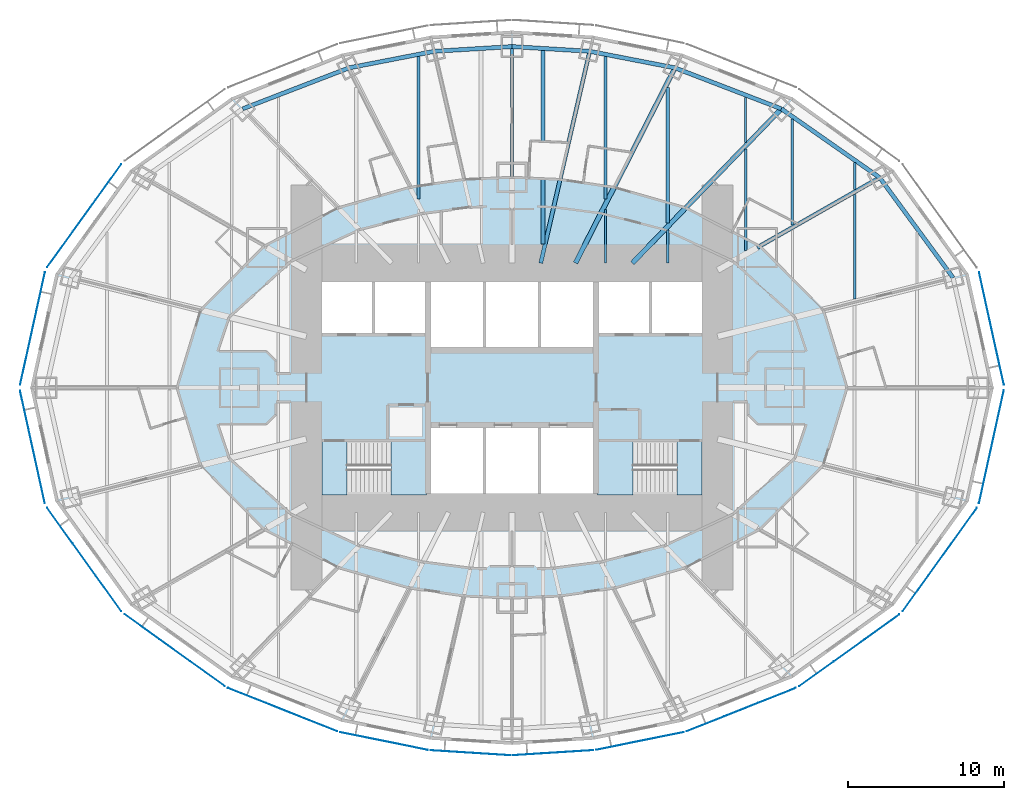
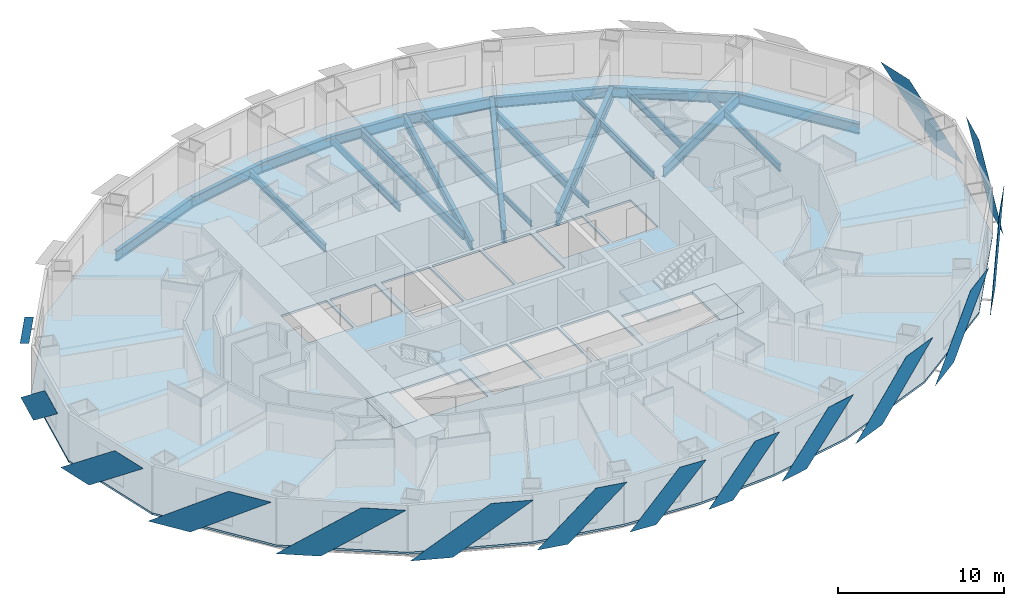
# One storey, part 3 of 15: 24 beams, 15 plates, 5 slabs, 2 elements without a shape of their own.
"""IFC4 building model written with IfcOpenShell, lengths in metres."""

from ifc_helpers import new_model, si_unit, direction, frame, origin, origin_2d, place, context, subcontext, project, spatial, polyline, i_section, outline, extrude, material, layer, layer_set, material_profile, profile_set, type_object, element, aggregate, save


model = new_model("IFC4")

# Units and contexts
model_context = context("Model", 3, precision=1e-05, world=origin(), true_north=direction((0.0, 1.0)))
body_context = subcontext(model_context, "Body", "Model", "MODEL_VIEW")
ifc_project = project(units=[si_unit("LENGTHUNIT", "METRE"), si_unit("AREAUNIT", "SQUARE_METRE"), si_unit("VOLUMEUNIT", "CUBIC_METRE"), si_unit("PLANEANGLEUNIT", "RADIAN"), si_unit("MASSUNIT", "GRAM", prefix="KILO")], contexts=[model_context])

# Site, building, storey
site_placement = place(None, origin())
site = spatial("IfcSite", under=ifc_project, at=site_placement, CompositionType="ELEMENT")
building_placement = place(site_placement, origin())
building = spatial("IfcBuilding", under=site, at=building_placement, Name="Lantaw Convention Tower", CompositionType="ELEMENT")
storey_placement = place(building_placement, frame((0.0, 0.0, 51.39990234375)))
storey = spatial("IfcBuildingStorey", under=building, at=storey_placement, Name="L10", CompositionType="ELEMENT", Elevation=51.39990234375)

# Beams
ifc_material_1 = material(Name="Steel ASTM A992", Category="steel")
ifc_material_profile_1 = material_profile(ifc_material_1, i_section(OverallWidth=0.2666015625, OverallDepth=0.76953125, WebThickness=0.015625, FlangeThickness=0.025390625, FilletRadius=0.0126953125, at=origin_2d()), Name="W30X132")
ifc_profile_set_1 = profile_set([ifc_material_profile_1], Name="Steel ASTM A992")
beam_type_1 = type_object("IfcBeamType", Name="Beam E W30X132", PredefinedType="SPANDREL", material=ifc_profile_set_1)
beam_1_placement = place(storey_placement, frame((28.31787109375, 7.060302734375, -0.53466796875), z_axis=(-0.591270709086, 0.806473154281, 0.0), x_axis=(-0.806473154281, -0.591270709086, 0.0)))
element("IfcBeam", 1, at=beam_1_placement, inside=storey, type_object=beam_type_1, Name="Edge beam 2", PredefinedType="SPANDREL", context=body_context, shape_type="SweptSolid", body=[
    extrude(i_section(OverallWidth=0.2666015625, OverallDepth=0.76953125, WebThickness=0.015625, FlangeThickness=0.025390625, FilletRadius=0.0126953125, at=origin_2d()), origin(), (0.0, 0.0, 1.0), 7.970703125),
])
beam_2_placement = place(storey_placement, frame((23.60498046875, 13.488525390625, -0.53466796875), z_axis=(-0.81942686407, 0.57318375277, 0.0), x_axis=(-0.57318375277, -0.81942686407, 0.0)))
element("IfcBeam", 2, at=beam_2_placement, inside=storey, type_object=beam_type_1, Name="Edge beam 3", PredefinedType="SPANDREL", context=body_context, shape_type="SweptSolid", body=[
    extrude(i_section(OverallWidth=0.2666015625, OverallDepth=0.76953125, WebThickness=0.015625, FlangeThickness=0.025390625, FilletRadius=0.0126953125, at=origin_2d()), origin(), (0.0, 0.0, 1.0), 7.70556640625),
])
beam_3_placement = place(storey_placement, frame((17.290771484375, 17.9052734375, -0.53466796875), z_axis=(-0.933232900641, 0.359271976588, 0.0), x_axis=(-0.359271976588, -0.933232900641, 0.0)))
element("IfcBeam", 3, at=beam_3_placement, inside=storey, type_object=beam_type_1, Name="Edge beam 4", PredefinedType="SPANDREL", context=body_context, shape_type="SweptSolid", body=[
    extrude(i_section(OverallWidth=0.2666015625, OverallDepth=0.76953125, WebThickness=0.015625, FlangeThickness=0.025390625, FilletRadius=0.0126953125, at=origin_2d()), origin(), (0.0, 0.0, 1.0), 7.316650390625),
])
beam_4_placement = place(storey_placement, frame((10.462646484375, 20.533935546875, -0.53466796875), z_axis=(-0.981636565323, 0.190760723474, 0.0), x_axis=(-0.190760723474, -0.981636565323, 0.0)))
element("IfcBeam", 4, at=beam_4_placement, inside=storey, type_object=beam_type_1, Name="Edge beam 5", PredefinedType="SPANDREL", context=body_context, shape_type="SweptSolid", body=[
    extrude(i_section(OverallWidth=0.2666015625, OverallDepth=0.76953125, WebThickness=0.015625, FlangeThickness=0.025390625, FilletRadius=0.0126953125, at=origin_2d()), origin(), (0.0, 0.0, 1.0), 5.578857421875),
])
for number, where, z_axis, x_axis, name in (
    (5, (4.986328125, 21.59814453125, -0.53466796875), (-0.998173858406, 0.060406526096, 0.0), (-0.060406526096, -0.998173858406, 0.0), "Edge beam 6"),
    (6, (0.0, 21.89990234375, -0.53466796875), (-0.998173858406, -0.060406526096, 0.0), (0.060406526096, -0.998173858406, 0.0), "Edge beam 7"),
):
    element("IfcBeam", number, at=place(storey_placement, frame(where, z_axis=z_axis, x_axis=x_axis)), inside=storey, type_object=beam_type_1, Name=name, PredefinedType="SPANDREL", context=body_context, shape_type="SweptSolid", body=[
        extrude(i_section(OverallWidth=0.2666015625, OverallDepth=0.76953125, WebThickness=0.015625, FlangeThickness=0.025390625, FilletRadius=0.0126953125, at=origin_2d()), origin(), (0.0, 0.0, 1.0), 4.995361328125),
    ])
beam_5_placement = place(storey_placement, frame((-4.986328125, 21.59814453125, -0.53466796875), z_axis=(-0.981636565323, -0.190760723474, 0.0), x_axis=(0.190760723474, -0.981636565323, 0.0)))
element("IfcBeam", 7, at=beam_5_placement, inside=storey, type_object=beam_type_1, Name="Edge beam 8", PredefinedType="SPANDREL", context=body_context, shape_type="SweptSolid", body=[
    extrude(i_section(OverallWidth=0.2666015625, OverallDepth=0.76953125, WebThickness=0.015625, FlangeThickness=0.025390625, FilletRadius=0.0126953125, at=origin_2d()), origin(), (0.0, 0.0, 1.0), 5.578857421875),
])
beam_6_placement = place(storey_placement, frame((-10.462646484375, 20.533935546875, -0.53466796875), z_axis=(-0.933232900641, -0.359271976588, 0.0), x_axis=(0.359271976588, -0.933232900641, 0.0)))
element("IfcBeam", 8, at=beam_6_placement, inside=storey, type_object=beam_type_1, Name="Edge beam 9", PredefinedType="SPANDREL", context=body_context, shape_type="SweptSolid", body=[
    extrude(i_section(OverallWidth=0.2666015625, OverallDepth=0.76953125, WebThickness=0.015625, FlangeThickness=0.025390625, FilletRadius=0.0126953125, at=origin_2d()), origin(), (0.0, 0.0, 1.0), 7.316650390625),
])
ifc_material_profile_2 = material_profile(ifc_material_1, i_section(OverallWidth=0.1650390625, OverallDepth=0.52587890625, WebThickness=0.0087890625, FlangeThickness=0.011474609375, FilletRadius=0.0126953125, at=origin_2d()), Name="W21X44")
ifc_profile_set_2 = profile_set([ifc_material_profile_2], Name="Steel ASTM A992")
beam_type_2 = type_object("IfcBeamType", Name="Beam G W21X44", PredefinedType="BEAM", material=ifc_profile_set_2)
beam_7_placement = place(storey_placement, frame((0.0, 13.5, -0.412841796875), z_axis=(0.0, 1.0, 0.0), x_axis=(-1.0, 0.0, 0.0)))
element("IfcBeam", 9, at=beam_7_placement, inside=storey, type_object=beam_type_2, Name="Floor girder on ray 7", PredefinedType="BEAM", context=body_context, shape_type="SweptSolid", body=[
    extrude(i_section(OverallWidth=0.1650390625, OverallDepth=0.52587890625, WebThickness=0.0087890625, FlangeThickness=0.011474609375, FilletRadius=0.0126953125, at=origin_2d()), origin(), (0.0, 0.0, 1.0), 8.39990234375),
])
ifc_material_profile_3 = material_profile(ifc_material_1, i_section(OverallWidth=0.25390625, OverallDepth=0.683349609375, WebThickness=0.012451171875, FlangeThickness=0.01904296875, FilletRadius=0.01513671875, at=origin_2d()), Name="W27X94")
ifc_profile_set_3 = profile_set([ifc_material_profile_3], Name="Steel ASTM A992")
beam_type_3 = type_object("IfcBeamType", Name="Beam G W27X94", PredefinedType="BEAM", material=ifc_profile_set_3)
beam_8_placement = place(storey_placement, frame((1.846923828125, 8.0, -0.491455078125), z_axis=(0.224952773175, 0.97436966796, 0.0), x_axis=(-0.97436966796, 0.224952773175, 0.0)))
element("IfcBeam", 10, at=beam_8_placement, inside=storey, type_object=beam_type_3, Name="Floor girder on ray 6", PredefinedType="BEAM", context=body_context, shape_type="SweptSolid", body=[
    extrude(i_section(OverallWidth=0.25390625, OverallDepth=0.683349609375, WebThickness=0.012451171875, FlangeThickness=0.01904296875, FilletRadius=0.01513671875, at=origin_2d()), origin(), (0.0, 0.0, 1.0), 13.955810546875),
])
ifc_material_profile_4 = material_profile(ifc_material_1, i_section(OverallWidth=0.2666015625, OverallDepth=0.7568359375, WebThickness=0.013916015625, FlangeThickness=0.019287109375, FilletRadius=0.0126953125, at=origin_2d()), Name="W30X108")
ifc_profile_set_4 = profile_set([ifc_material_profile_4], Name="Steel ASTM A992")
beam_type_4 = type_object("IfcBeamType", Name="Beam G W30X108", PredefinedType="BEAM", material=ifc_profile_set_4)
beam_9_placement = place(storey_placement, frame((15.75, 9.0, -0.5283203125), z_axis=(0.868244802791, 0.496136032179, 0.0), x_axis=(-0.496136032179, 0.868244802791, 0.0)))
element("IfcBeam", 11, at=beam_9_placement, inside=storey, type_object=beam_type_4, Name="Floor girder on ray 3", PredefinedType="BEAM", context=body_context, shape_type="SweptSolid", body=[
    extrude(i_section(OverallWidth=0.2666015625, OverallDepth=0.7568359375, WebThickness=0.013916015625, FlangeThickness=0.019287109375, FilletRadius=0.0126953125, at=origin_2d()), origin(), (0.0, 0.0, 1.0), 9.046875),
])
ifc_material_profile_5 = material_profile(ifc_material_1, i_section(OverallWidth=0.307373046875, OverallDepth=0.922119140625, WebThickness=0.018310546875, FlangeThickness=0.030029296875, FilletRadius=0.0126953125, at=origin_2d()), Name="W36X182")
ifc_profile_set_5 = profile_set([ifc_material_profile_5], Name="Steel ASTM A992")
beam_type_5 = type_object("IfcBeamType", Name="Beam G W36X182", PredefinedType="BEAM", material=ifc_profile_set_5)
beam_10_placement = place(storey_placement, frame((7.7255859375, 8.0, -0.61083984375), z_axis=(0.694649884291, 0.719347995239, 0.0), x_axis=(-0.719347995239, 0.694649884291, 0.0)))
element("IfcBeam", 12, at=beam_10_placement, inside=storey, type_object=beam_type_5, Name="Floor girder on ray 4", PredefinedType="BEAM", context=body_context, shape_type="SweptSolid", body=[
    extrude(i_section(OverallWidth=0.307373046875, OverallDepth=0.922119140625, WebThickness=0.018310546875, FlangeThickness=0.030029296875, FilletRadius=0.0126953125, at=origin_2d()), origin(), (0.0, 0.0, 1.0), 13.769775390625),
])
beam_11_placement = place(storey_placement, frame((4.076171875, 8.0, -0.61083984375), z_axis=(0.453997016122, 0.891003203896, 0.0), x_axis=(-0.891003203896, 0.453997016122, 0.0)))
element("IfcBeam", 13, at=beam_11_placement, inside=storey, type_object=beam_type_5, Name="Floor girder on ray 5", PredefinedType="BEAM", context=body_context, shape_type="SweptSolid", body=[
    extrude(i_section(OverallWidth=0.307373046875, OverallDepth=0.922119140625, WebThickness=0.018310546875, FlangeThickness=0.030029296875, FilletRadius=0.0126953125, at=origin_2d()), origin(), (0.0, 0.0, 1.0), 14.067138671875),
])
ifc_material_profile_6 = material_profile(ifc_material_1, i_section(OverallWidth=0.140380859375, OverallDepth=0.40380859375, WebThickness=0.007080078125, FlangeThickness=0.01123046875, FilletRadius=0.01025390625, at=origin_2d()), Name="W16X31")
ifc_profile_set_6 = profile_set([ifc_material_profile_6], Name="Steel ASTM A992")
beam_type_6 = type_object("IfcBeamType", Name="Beam J W16X31", PredefinedType="JOIST", material=ifc_profile_set_6)
beam_12_placement = place(storey_placement, frame((6.0, 8.0, -0.351806640625), z_axis=(0.0, 1.0, 0.0), x_axis=(-1.0, 0.0, 0.0)))
element("IfcBeam", 14, at=beam_12_placement, inside=storey, type_object=beam_type_6, Name="Floor joist", PredefinedType="JOIST", context=body_context, shape_type="SweptSolid", body=[
    extrude(i_section(OverallWidth=0.140380859375, OverallDepth=0.40380859375, WebThickness=0.007080078125, FlangeThickness=0.01123046875, FilletRadius=0.01025390625, at=origin_2d()), origin(), (0.0, 0.0, 1.0), 3.437255859375),
])
beam_13_placement = place(storey_placement, frame((10.0, 8.0, -0.351806640625), z_axis=(0.0, 1.0, 0.0), x_axis=(-1.0, 0.0, 0.0)))
element("IfcBeam", 15, at=beam_13_placement, inside=storey, type_object=beam_type_6, Name="Floor joist", PredefinedType="JOIST", context=body_context, shape_type="SweptSolid", body=[
    extrude(i_section(OverallWidth=0.140380859375, OverallDepth=0.40380859375, WebThickness=0.007080078125, FlangeThickness=0.01123046875, FilletRadius=0.01025390625, at=origin_2d()), origin(), (0.0, 0.0, 1.0), 2.134033203125),
])
beam_14_placement = place(storey_placement, frame((15.0, 15.754150390625, -0.351806640625), z_axis=(0.0, 1.0, 0.0), x_axis=(-1.0, 0.0, 0.0)))
element("IfcBeam", 16, at=beam_14_placement, inside=storey, type_object=beam_type_6, Name="Floor joist", PredefinedType="JOIST", context=body_context, shape_type="SweptSolid", body=[
    extrude(i_section(OverallWidth=0.140380859375, OverallDepth=0.40380859375, WebThickness=0.007080078125, FlangeThickness=0.01123046875, FilletRadius=0.01025390625, at=origin_2d()), origin(), (0.0, 0.0, 1.0), 2.89013671875),
])
beam_15_placement = place(storey_placement, frame((22.0, 12.72509765625, -0.351806640625), z_axis=(0.0, 1.0, 0.0), x_axis=(-1.0, 0.0, 0.0)))
element("IfcBeam", 17, at=beam_15_placement, inside=storey, type_object=beam_type_6, Name="Floor joist", PredefinedType="JOIST", context=body_context, shape_type="SweptSolid", body=[
    extrude(i_section(OverallWidth=0.140380859375, OverallDepth=0.40380859375, WebThickness=0.007080078125, FlangeThickness=0.01123046875, FilletRadius=0.01025390625, at=origin_2d()), origin(), (0.0, 0.0, 1.0), 1.723388671875),
])
ifc_material_profile_7 = material_profile(ifc_material_1, i_section(OverallWidth=0.1650390625, OverallDepth=0.52587890625, WebThickness=0.0087890625, FlangeThickness=0.011474609375, FilletRadius=0.0126953125, at=origin_2d()), Name="W21X44")
ifc_profile_set_7 = profile_set([ifc_material_profile_7], Name="Steel ASTM A992")
beam_type_7 = type_object("IfcBeamType", Name="Beam J W21X44", PredefinedType="JOIST", material=ifc_profile_set_7)
beam_16_placement = place(storey_placement, frame((15.0, 8.803955078125, -0.412841796875), z_axis=(0.0, 1.0, 0.0), x_axis=(-1.0, 0.0, 0.0)))
element("IfcBeam", 18, at=beam_16_placement, inside=storey, type_object=beam_type_7, Name="Floor joist", PredefinedType="JOIST", context=body_context, shape_type="SweptSolid", body=[
    extrude(i_section(OverallWidth=0.1650390625, OverallDepth=0.52587890625, WebThickness=0.0087890625, FlangeThickness=0.011474609375, FilletRadius=0.0126953125, at=origin_2d()), origin(), (0.0, 0.0, 1.0), 6.5078125),
])
beam_17_placement = place(storey_placement, frame((18.0, 10.439208984375, -0.412841796875), z_axis=(0.0, 1.0, 0.0), x_axis=(-1.0, 0.0, 0.0)))
element("IfcBeam", 19, at=beam_17_placement, inside=storey, type_object=beam_type_7, Name="Floor joist", PredefinedType="JOIST", context=body_context, shape_type="SweptSolid", body=[
    extrude(i_section(OverallWidth=0.1650390625, OverallDepth=0.52587890625, WebThickness=0.0087890625, FlangeThickness=0.011474609375, FilletRadius=0.0126953125, at=origin_2d()), origin(), (0.0, 0.0, 1.0), 6.80712890625),
])
beam_18_placement = place(storey_placement, frame((22.0, 5.693359375, -0.412841796875), z_axis=(0.0, 1.0, 0.0), x_axis=(-1.0, 0.0, 0.0)))
element("IfcBeam", 20, at=beam_18_placement, inside=storey, type_object=beam_type_7, Name="Floor joist", PredefinedType="JOIST", context=body_context, shape_type="SweptSolid", body=[
    extrude(i_section(OverallWidth=0.1650390625, OverallDepth=0.52587890625, WebThickness=0.0087890625, FlangeThickness=0.011474609375, FilletRadius=0.0126953125, at=origin_2d()), origin(), (0.0, 0.0, 1.0), 6.724609375),
])
ifc_material_profile_8 = material_profile(ifc_material_1, i_section(OverallWidth=0.2099609375, OverallDepth=0.535888671875, WebThickness=0.010986328125, FlangeThickness=0.017333984375, FilletRadius=0.012939453125, at=origin_2d()), Name="W21X68")
ifc_profile_set_8 = profile_set([ifc_material_profile_8], Name="Steel ASTM A992")
beam_type_8 = type_object("IfcBeamType", Name="Beam J W21X68", PredefinedType="JOIST", material=ifc_profile_set_8)
for number, where, z_axis, x_axis, name in (
    (21, (-6.0, 12.1142578125, -0.41796875), (0.0, 1.0, 0.0), (-1.0, 0.0, 0.0), "Floor joist"),
    (22, (6.0, 12.1142578125, -0.41796875), (0.0, 1.0, 0.0), (-1.0, 0.0, 0.0), "Floor joist"),
):
    element("IfcBeam", number, at=place(storey_placement, frame(where, z_axis=z_axis, x_axis=x_axis)), inside=storey, type_object=beam_type_8, Name=name, PredefinedType="JOIST", context=body_context, shape_type="SweptSolid", body=[
        extrude(i_section(OverallWidth=0.2099609375, OverallDepth=0.535888671875, WebThickness=0.010986328125, FlangeThickness=0.017333984375, FilletRadius=0.012939453125, at=origin_2d()), origin(), (0.0, 0.0, 1.0), 9.15087890625),
    ])
ifc_material_profile_9 = material_profile(ifc_material_1, i_section(OverallWidth=0.227783203125, OverallDepth=0.60205078125, WebThickness=0.010498046875, FlangeThickness=0.014892578125, FilletRadius=0.012939453125, at=origin_2d()), Name="W24X68")
ifc_profile_set_9 = profile_set([ifc_material_profile_9], Name="Steel ASTM A992")
beam_type_9 = type_object("IfcBeamType", Name="Beam J W24X68", PredefinedType="JOIST", material=ifc_profile_set_9)
beam_19_placement = place(storey_placement, frame((10.0, 10.576416015625, -0.450927734375), z_axis=(0.0, 1.0, 0.0), x_axis=(-1.0, 0.0, 0.0)))
element("IfcBeam", 23, at=beam_19_placement, inside=storey, type_object=beam_type_9, Name="Floor joist", PredefinedType="JOIST", context=body_context, shape_type="SweptSolid", body=[
    extrude(i_section(OverallWidth=0.227783203125, OverallDepth=0.60205078125, WebThickness=0.010498046875, FlangeThickness=0.014892578125, FilletRadius=0.012939453125, at=origin_2d()), origin(), (0.0, 0.0, 1.0), 8.711181640625),
])
ifc_material_profile_10 = material_profile(ifc_material_1, i_section(OverallWidth=0.25390625, OverallDepth=0.700927734375, WebThickness=0.015380859375, FlangeThickness=0.02783203125, FilletRadius=0.01513671875, at=origin_2d()), Name="W27X129")
ifc_profile_set_10 = profile_set([ifc_material_profile_10], Name="Steel ASTM A992")
beam_type_10 = type_object("IfcBeamType", Name="Beam J W27X129", PredefinedType="JOIST", material=ifc_profile_set_10)
beam_20_placement = place(storey_placement, frame((2.0, 9.2275390625, -0.50048828125), z_axis=(0.0, 1.0, 0.0), x_axis=(-1.0, 0.0, 0.0)))
element("IfcBeam", 24, at=beam_20_placement, inside=storey, type_object=beam_type_10, Name="Floor joist", PredefinedType="JOIST", context=body_context, shape_type="SweptSolid", body=[
    extrude(i_section(OverallWidth=0.25390625, OverallDepth=0.700927734375, WebThickness=0.015380859375, FlangeThickness=0.02783203125, FilletRadius=0.01513671875, at=origin_2d()), origin(), (0.0, 0.0, 1.0), 12.417724609375),
])

# Slab
ifc_material_2 = material(Name="Concrete C35/45", Category="concrete")
ifc_layer_1 = layer(ifc_material_2, 0.14990234375)
ifc_layer_set_1 = layer_set([ifc_layer_1], Name="Floor slab 150")
slab_type_1 = type_object("IfcSlabType", Name="Floor slab 150", PredefinedType="FLOOR", material=ifc_layer_set_1)
slab_1_placement = place(storey_placement, frame((0.0, 0.0, -0.14990234375)))
element("IfcSlab", 25, at=slab_1_placement, inside=storey, type_object=slab_type_1, Name="L10 floor slab", PredefinedType="FLOOR", context=body_context, shape_type="SweptSolid", body=[
    extrude(outline(polyline([(29.315185546875, -7.29541015625), (30.923095703125, 0.0), (29.315185546875, 7.29541015625), (24.50634765625, 13.98046875), (18.018798828125, 18.630126953125), (10.9404296875, 21.44189453125), (5.223876953125, 22.59521484375), (0.0, 22.9248046875), (-5.223876953125, 22.59521484375), (-10.9404296875, 21.44189453125), (-18.018798828125, 18.630126953125), (-24.50634765625, 13.98046875), (-29.315185546875, 7.29541015625), (-30.923095703125, 0.0), (-29.315185546875, -7.29541015625), (-24.50634765625, -13.98046875), (-18.018798828125, -18.630126953125), (-10.9404296875, -21.44189453125), (-5.223876953125, -22.59521484375), (0.0, -22.9248046875), (5.223876953125, -22.59521484375), (10.9404296875, -21.44189453125), (18.018798828125, -18.630126953125), (24.50634765625, -13.98046875), (29.315185546875, -7.29541015625)]), holes=[polyline([(-5.60009765625, -3.5), (-12.199951171875, -3.5), (-12.199951171875, -6.800048828125), (-5.60009765625, -6.800048828125), (-5.60009765625, -3.5)]), polyline([(-1.86669921875, -6.800048828125), (-1.86669921875, -2.60009765625), (-5.199951171875, -2.60009765625), (-5.199951171875, -6.800048828125), (-1.86669921875, -6.800048828125)]), polyline([(-1.86669921875, 2.60009765625), (-1.86669921875, 6.800048828125), (-5.199951171875, 6.800048828125), (-5.199951171875, 2.60009765625), (-1.86669921875, 2.60009765625)]), polyline([(1.666748046875, 6.800048828125), (-1.666748046875, 6.800048828125), (-1.666748046875, 2.60009765625), (1.666748046875, 2.60009765625), (1.666748046875, 6.800048828125)]), polyline([(-9.0, 3.5), (-9.0, 6.800048828125), (-12.199951171875, 6.800048828125), (-12.199951171875, 3.5), (-9.0, 3.5)]), polyline([(-5.60009765625, 3.5), (-5.60009765625, 6.800048828125), (-8.800048828125, 6.800048828125), (-8.800048828125, 3.5), (-5.60009765625, 3.5)]), polyline([(12.199951171875, -3.5), (5.60009765625, -3.5), (5.60009765625, -6.800048828125), (12.199951171875, -6.800048828125), (12.199951171875, -3.5)]), polyline([(1.666748046875, -6.800048828125), (1.666748046875, -2.60009765625), (-1.666748046875, -2.60009765625), (-1.666748046875, -6.800048828125), (1.666748046875, -6.800048828125)]), polyline([(5.199951171875, -6.800048828125), (5.199951171875, -2.60009765625), (1.86669921875, -2.60009765625), (1.86669921875, -6.800048828125), (5.199951171875, -6.800048828125)]), polyline([(5.199951171875, 6.800048828125), (1.86669921875, 6.800048828125), (1.86669921875, 2.60009765625), (5.199951171875, 2.60009765625), (5.199951171875, 6.800048828125)]), polyline([(8.800048828125, 3.5), (8.800048828125, 6.800048828125), (5.60009765625, 6.800048828125), (5.60009765625, 3.5), (8.800048828125, 3.5)]), polyline([(12.199951171875, 3.5), (12.199951171875, 6.800048828125), (9.0, 6.800048828125), (9.0, 3.5), (12.199951171875, 3.5)])]), origin(), (0.0, 0.0, 1.0), 0.14990234375),
])

# Plates
ifc_material_3 = material(Name="Perforated aluminium sheet, pale silver finish", Category="aluminium")
ifc_layer_2 = layer(ifc_material_3, 0.006103515625)
ifc_layer_set_2 = layer_set([ifc_layer_2], Name="Perforated aluminium solar SCREEN panel")
plate_type = type_object("IfcPlateType", Name="Perforated aluminium solar SCREEN panel", PredefinedType="SHEET", material=ifc_layer_set_2)
plate_1_placement = place(storey_placement, frame((31.5810546875, 0.17919921875, -0.1748046875), z_axis=(-0.97655943558, -0.215247921852, 3.0295023e-05), x_axis=(-0.215247921951, 0.976559436028, 3.12e-10)))
element("IfcPlate", 26, at=plate_1_placement, inside=storey, type_object=plate_type, Name="Solar SCREEN panel", PredefinedType="SHEET", context=body_context, shape_type="SweptSolid", body=[
    extrude(outline(polyline([(0.0, 0.0), (2.551002212329069, 3.3881317890172014e-21), (7.402498252985418, -3.739990233781388), (4.851734458487411, -3.7399902353733405), (0.0, 0.0)])), origin(), (0.0, 0.0, -1.0), 0.006103515625),
])
plate_2_placement = place(storey_placement, frame((-25.0810546875, 14.34765625, -0.1748046875), z_axis=(0.811791382613, -0.583947558463, 9.019268e-06), x_axis=(-0.583947558486, -0.811791382646, 0.0)))
element("IfcPlate", 27, at=plate_2_placement, inside=storey, type_object=plate_type, Name="Solar SCREEN panel", PredefinedType="SHEET", context=body_context, shape_type="SweptSolid", body=[
    extrude(outline(polyline([(0.0, 0.0), (2.809541672291133, 0.0), (8.163093158837512, -3.739990234527119), (5.353551486546379, -3.739990234527119), (0.0, 0.0)])), origin(), (0.0, 0.0, -1.0), 0.006103515625),
])
plate_3_placement = place(storey_placement, frame((-29.98779296875, 7.408203125, -0.1748046875), z_axis=(-0.97655943558, 0.215247921852, 3.0295023e-05), x_axis=(-0.215247921951, -0.976559436028, -3.12e-10)))
element("IfcPlate", 28, at=plate_3_placement, inside=storey, type_object=plate_type, Name="Solar SCREEN panel", PredefinedType="SHEET", context=body_context, shape_type="SweptSolid", body=[
    extrude(outline(polyline([(0.0, 0.0), (2.5507637944980077, 6.776263578034403e-21), (7.402498250651261, 3.7399902384013473), (4.851496038322192, 3.739990236809246), (0.0, 0.0)])), origin(), (0.0, 0.0, -1.0), 0.006103515625),
])
plate_4_placement = place(storey_placement, frame((-31.5810546875, -0.17919921875, -0.1748046875), z_axis=(0.97655943558, 0.215247921852, 3.0295023e-05), x_axis=(0.215247921951, -0.976559436028, 3.12e-10)))
element("IfcPlate", 29, at=plate_4_placement, inside=storey, type_object=plate_type, Name="Solar SCREEN panel", PredefinedType="SHEET", context=body_context, shape_type="SweptSolid", body=[
    extrude(outline(polyline([(0.0, 0.0), (2.551002212329069, 3.3881317890172014e-21), (7.402498252985418, -3.739990233781388), (4.851734458487411, -3.7399902353733405), (0.0, 0.0)])), origin(), (0.0, 0.0, -1.0), 0.006103515625),
])
plate_5_placement = place(storey_placement, frame((-29.847900390625, -7.720947265625, -0.1748046875), z_axis=(-0.811791382613, -0.583947558463, 9.019268e-06), x_axis=(0.583947558486, -0.811791382646, 0.0)))
element("IfcPlate", 30, at=plate_5_placement, inside=storey, type_object=plate_type, Name="Solar SCREEN panel", PredefinedType="SHEET", context=body_context, shape_type="SweptSolid", body=[
    extrude(outline(polyline([(0.0, 0.0), (2.809541672291133, 0.0), (8.163093158837512, 3.739990234527119), (5.353551486546379, 3.739990234527119), (0.0, 0.0)])), origin(), (0.0, 0.0, -1.0), 0.006103515625),
])
plate_6_placement = place(storey_placement, frame((-24.872314453125, -14.555908203125, -0.1748046875), z_axis=(-0.582561421998, -0.812786681331, 1.5819417e-05), x_axis=(0.812786681433, -0.582561422071, 0.0)))
element("IfcPlate", 31, at=plate_6_placement, inside=storey, type_object=plate_type, Name="Solar SCREEN panel", PredefinedType="SHEET", context=body_context, shape_type="SweptSolid", body=[
    extrude(outline(polyline([(0.0, 0.0), (2.721095180812288, 3.3881317890172014e-21), (7.903118572410756, 3.739990234842974), (5.182023391598468, 3.739990234842974), (0.0, 0.0)])), origin(), (0.0, 0.0, -1.0), 0.006103515625),
])
plate_7_placement = place(storey_placement, frame((-18.232177734375, -19.278076171875, -0.1748046875), z_axis=(0.369183532846, 0.929356508016, 9.163296e-06), x_axis=(0.929356508055, -0.369183532862, 0.0)))
element("IfcPlate", 32, at=plate_7_placement, inside=storey, type_object=plate_type, Name="Solar SCREEN panel", PredefinedType="SHEET", context=body_context, shape_type="SweptSolid", body=[
    extrude(outline(polyline([(0.0, 0.0), (2.594936467166582, -1.6940658945086007e-21), (7.5321069917580825, -3.739990234532016), (4.937170524591499, -3.739990234532016), (0.0, 0.0)])), origin(), (0.0, 0.0, -1.0), 0.006103515625),
])
plate_8_placement = place(storey_placement, frame((-11.03271484375, -22.117919921875, -0.1748046875), z_axis=(0.197781876197, 0.980246055561, 2.418535e-06), x_axis=(0.980246055563, -0.197781876198, 1.46e-10)))
element("IfcPlate", 33, at=plate_8_placement, inside=storey, type_object=plate_type, Name="Solar SCREEN panel", PredefinedType="SHEET", context=body_context, shape_type="SweptSolid", body=[
    extrude(outline(polyline([(0.0, 0.0), (1.9867801772236329, -3.1763735522036263e-22), (5.743587245978565, -3.7399902335493134), (3.7568553553458006, -3.739990234128105), (0.0, 0.0)])), origin(), (0.0, 0.0, -1.0), 0.006103515625),
])
plate_9_placement = place(storey_placement, frame((-5.221923828125, -23.27783203125, -0.1748046875), z_axis=(0.062923905251, 0.998018327468, 1.3605496e-05), x_axis=(0.998018327561, -0.062923905257, 9.3e-10)))
element("IfcPlate", 34, at=plate_9_placement, inside=storey, type_object=plate_type, Name="Solar SCREEN panel", PredefinedType="SHEET", context=body_context, shape_type="SweptSolid", body=[
    extrude(outline(polyline([(0.0, 0.0), (1.7828375409377817, -2.117582368135751e-22), (5.143985963027618, -3.739990229938699), (3.3611637843713935, -3.7399902332537565), (0.0, 0.0)])), origin(), (0.0, 0.0, -1.0), 0.006103515625),
])
plate_10_placement = place(storey_placement, frame((0.088134765625, -23.6015625, -0.1748046875), z_axis=(0.062923905251, -0.998018327468, 1.3605496e-05), x_axis=(0.998018327561, 0.062923905257, -9.3e-10)))
element("IfcPlate", 35, at=plate_10_placement, inside=storey, type_object=plate_type, Name="Solar SCREEN panel", PredefinedType="SHEET", context=body_context, shape_type="SweptSolid", body=[
    extrude(outline(polyline([(0.0, 0.0), (1.782822178656225, -2.117582368135751e-22), (5.143985956073316, 3.7399902395036517), (3.3611484151355353, 3.7399902361885653), (0.0, 0.0)])), origin(), (0.0, 0.0, -1.0), 0.006103515625),
])
plate_11_placement = place(storey_placement, frame((5.402587890625, -23.25390625, -0.1748046875), z_axis=(0.197781876197, -0.980246055561, 2.418535e-06), x_axis=(0.980246055563, 0.197781876198, -1.46e-10)))
element("IfcPlate", 36, at=plate_11_placement, inside=storey, type_object=plate_type, Name="Solar SCREEN panel", PredefinedType="SHEET", context=body_context, shape_type="SweptSolid", body=[
    extrude(outline(polyline([(0.0, 0.0), (1.9867318906327642, 1.0587911840678754e-22), (5.743587244888999, 3.7399902352225842), (3.7568070676653664, 3.7399902346437783), (0.0, 0.0)])), origin(), (0.0, 0.0, -1.0), 0.006103515625),
])
plate_12_placement = place(storey_placement, frame((11.232177734375, -22.058837890625, -0.1748046875), z_axis=(0.369183532846, -0.929356508016, 9.163296e-06), x_axis=(0.929356508055, 0.369183532862, 0.0)))
element("IfcPlate", 37, at=plate_12_placement, inside=storey, type_object=plate_type, Name="Solar SCREEN panel", PredefinedType="SHEET", context=body_context, shape_type="SweptSolid", body=[
    extrude(outline(polyline([(0.0, 0.0), (2.594936467166582, 1.6940658945086007e-21), (7.5321069917580825, 3.739990234532016), (4.937170524591499, 3.739990234532016), (0.0, 0.0)])), origin(), (0.0, 0.0, -1.0), 0.006103515625),
])
plate_13_placement = place(storey_placement, frame((18.44873046875, -19.159912109375, -0.1748046875), z_axis=(-0.582561421998, 0.812786681331, 1.5819417e-05), x_axis=(0.812786681433, 0.582561422071, 0.0)))
element("IfcPlate", 38, at=plate_13_placement, inside=storey, type_object=plate_type, Name="Solar SCREEN panel", PredefinedType="SHEET", context=body_context, shape_type="SweptSolid", body=[
    extrude(outline(polyline([(0.0, 0.0), (2.721095180812288, -3.3881317890172014e-21), (7.903118572410756, -3.739990234842974), (5.182023391598468, -3.739990234842974), (0.0, 0.0)])), origin(), (0.0, 0.0, -1.0), 0.006103515625),
])
plate_14_placement = place(storey_placement, frame((25.0810546875, -14.34765625, -0.1748046875), z_axis=(-0.811791382613, 0.583947558463, 9.019268e-06), x_axis=(0.583947558486, 0.811791382646, 0.0)))
element("IfcPlate", 39, at=plate_14_placement, inside=storey, type_object=plate_type, Name="Solar SCREEN panel", PredefinedType="SHEET", context=body_context, shape_type="SweptSolid", body=[
    extrude(outline(polyline([(0.0, 0.0), (2.809541672291133, 0.0), (8.163093158837512, -3.739990234527119), (5.353551486546379, -3.739990234527119), (0.0, 0.0)])), origin(), (0.0, 0.0, -1.0), 0.006103515625),
])
plate_15_placement = place(storey_placement, frame((29.98779296875, -7.408203125, -0.1748046875), z_axis=(0.97655943558, -0.215247921852, 3.0295023e-05), x_axis=(0.215247921951, 0.976559436028, -3.12e-10)))
element("IfcPlate", 40, at=plate_15_placement, inside=storey, type_object=plate_type, Name="Solar SCREEN panel", PredefinedType="SHEET", context=body_context, shape_type="SweptSolid", body=[
    extrude(outline(polyline([(0.0, 0.0), (2.5507637944980077, 6.776263578034403e-21), (7.402498250651261, 3.7399902384013473), (4.851496038322192, 3.739990236809246), (0.0, 0.0)])), origin(), (0.0, 0.0, -1.0), 0.006103515625),
])

# Stair, slabs
stair_type = type_object("IfcStairType", Name="Exit stair 1500 riser 163.64 in 2 flights", PredefinedType="HALF_TURN_STAIR", material=ifc_material_2)
stair_1_placement = place(storey_placement, origin())
stair_1 = element("IfcStair", 41, at=stair_1_placement, inside=storey, type_object=stair_type, Name="Exit stair S1 L10", PredefinedType="HALF_TURN_STAIR")
ifc_layer_3 = layer(ifc_material_2, 0.199951171875)
ifc_layer_set_3 = layer_set([ifc_layer_3], Name="Stair landing 200")
slab_type_2 = type_object("IfcSlabType", Name="Stair landing 200", PredefinedType="LANDING", material=ifc_layer_set_3)
slab_2_placement = place(storey_placement, frame((0.0, 0.0, -0.199951171875)))
slab_2 = element("IfcSlab", 42, at=slab_2_placement, type_object=slab_type_2, Name="S1 landing 1", PredefinedType="LANDING", context=body_context, shape_type="SweptSolid", body=[
    extrude(outline(polyline([(-12.199951171875, -6.89990234375), (-10.580078125, -6.89990234375), (-10.580078125, -3.39990234375), (-12.199951171875, -3.39990234375), (-12.199951171875, -6.89990234375)])), origin(), (0.0, 0.0, 1.0), 0.199951171875),
])
slab_3_placement = place(storey_placement, frame((0.0, 0.0, 1.60009765625)))
slab_3 = element("IfcSlab", 43, at=slab_3_placement, type_object=slab_type_2, Name="S1 landing 2", PredefinedType="LANDING", context=body_context, shape_type="SweptSolid", body=[
    extrude(outline(polyline([(-7.780029296875, -6.89990234375), (-5.5, -6.89990234375), (-5.5, -3.39990234375), (-7.780029296875, -3.39990234375), (-7.780029296875, -6.89990234375)])), origin(), (0.0, 0.0, 1.0), 0.199951171875),
])
aggregate(stair_1, [slab_2, slab_3])

stair_2_placement = place(storey_placement, origin())
stair_2 = element("IfcStair", 44, at=stair_2_placement, inside=storey, type_object=stair_type, Name="Exit stair S2 L10", PredefinedType="HALF_TURN_STAIR")
slab_4_placement = place(storey_placement, frame((0.0, 0.0, -0.199951171875)))
slab_4 = element("IfcSlab", 45, at=slab_4_placement, type_object=slab_type_2, Name="S2 landing 1", PredefinedType="LANDING", context=body_context, shape_type="SweptSolid", body=[
    extrude(outline(polyline([(10.580078125, -6.89990234375), (12.199951171875, -6.89990234375), (12.199951171875, -3.39990234375), (10.580078125, -3.39990234375), (10.580078125, -6.89990234375)])), origin(), (0.0, 0.0, 1.0), 0.199951171875),
])
slab_5_placement = place(storey_placement, frame((0.0, 0.0, 1.60009765625)))
slab_5 = element("IfcSlab", 46, at=slab_5_placement, type_object=slab_type_2, Name="S2 landing 2", PredefinedType="LANDING", context=body_context, shape_type="SweptSolid", body=[
    extrude(outline(polyline([(5.5, -6.89990234375), (7.780029296875, -6.89990234375), (7.780029296875, -3.39990234375), (5.5, -3.39990234375), (5.5, -6.89990234375)])), origin(), (0.0, 0.0, 1.0), 0.199951171875),
])
aggregate(stair_2, [slab_4, slab_5])

save(model, "model.ifc")
